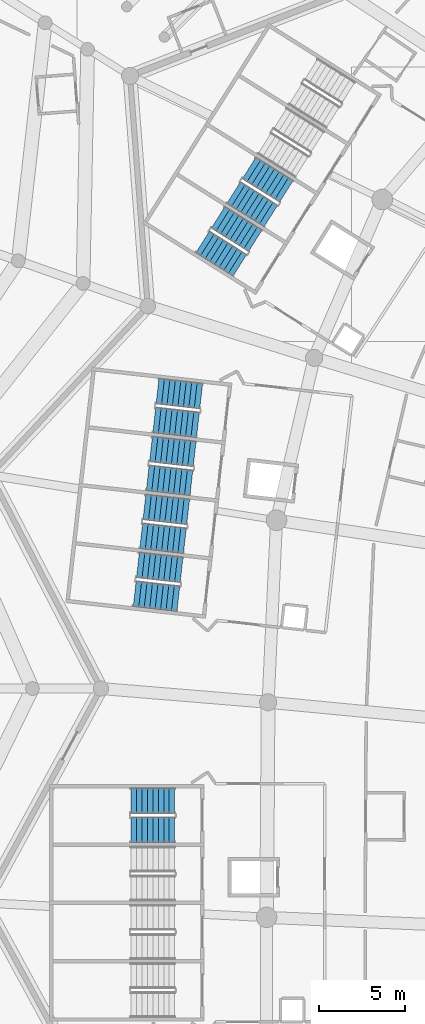
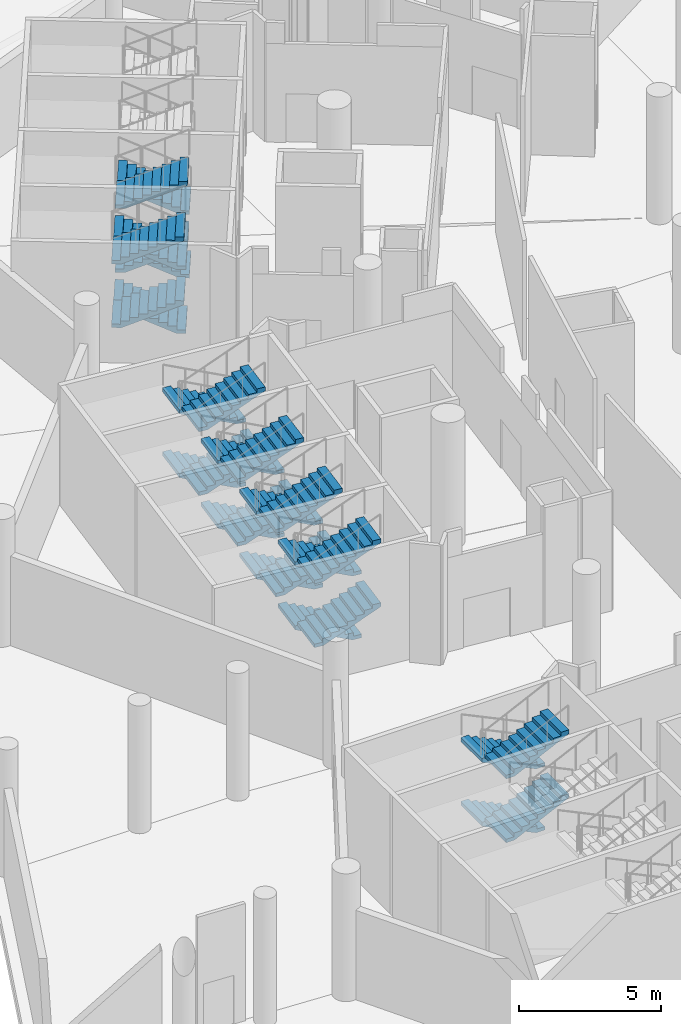
# One storey, part 214 of 271: 28 stair flights, 7 elements without a shape of their own.
"""IFC4 building model written with IfcOpenShell, lengths in metres."""

from ifc_helpers import new_model, si_unit, direction, frame, origin, place, context, subcontext, project, spatial, polyline, outline, extrude, material, type_object, element, aggregate, save


model = new_model("IFC4")

# Units and contexts
model_context = context("Model", 3, precision=1e-05, world=origin(), true_north=direction((0.0, 1.0)))
body_context = subcontext(model_context, "Body", "Model", "MODEL_VIEW")
ifc_project = project(units=[si_unit("LENGTHUNIT", "METRE"), si_unit("AREAUNIT", "SQUARE_METRE"), si_unit("VOLUMEUNIT", "CUBIC_METRE"), si_unit("PLANEANGLEUNIT", "RADIAN"), si_unit("MASSUNIT", "GRAM", prefix="KILO")], contexts=[model_context])

# Site, building, storey
site_placement = place(None, origin())
site = spatial("IfcSite", under=ifc_project, at=site_placement, CompositionType="ELEMENT")
building_placement = place(site_placement, origin())
building = spatial("IfcBuilding", under=site, at=building_placement, Name="Meseta Stadium", CompositionType="ELEMENT")
storey_placement = place(building_placement, frame((0.0, 0.0, 6.5)))
storey = spatial("IfcBuildingStorey", under=building, at=storey_placement, Name="L01", CompositionType="ELEMENT", Elevation=6.5)

# Stair, stair flights
ifc_material_1 = material(Name="Concrete C40/50", Category="concrete")
stair_type = type_object("IfcStairType", Name="Exit stair 4 flights 153 mm risers", PredefinedType="HALF_TURN_STAIR", material=ifc_material_1)
stair_1_placement = place(storey_placement, origin())
stair_1 = element("IfcStair", 1, at=stair_1_placement, inside=storey, type_object=stair_type, Name="ST55 L01", PredefinedType="HALF_TURN_STAIR")
ifc_material_2 = material(Name="Concrete C40/50", Category="concrete")
stair_flight_type = type_object("IfcStairFlightType", Name="Exit stair flight 153 mm risers, 4 per storey", PredefinedType="STRAIGHT", material=ifc_material_2)
stair_flight_1_placement = place(storey_placement, frame((-83.792724609375, 72.742919921875, 0.0), z_axis=(0.0, 0.0, 1.0), x_axis=(-0.846724200555, 0.532032074404, 0.0)))
stair_flight_1 = element("IfcStairFlight", 2, at=stair_flight_1_placement, type_object=stair_flight_type, Name="ST55 L01 flight 1", NumberOfRisers=9, NumberOfTreads=8, PredefinedType="STRAIGHT", RiserHeight=0.152777778, TreadLength=0.32, context=body_context, shape_type="SweptSolid", body=[
    extrude(outline(polyline([(0.0, 0.0), (0.0, 0.15283203125), (0.320068359375, 0.15283203125), (0.320068359375, 0.3056640625), (0.639892578125, 0.3056640625), (0.639892578125, 0.458251953125), (0.9599609375, 0.458251953125), (0.9599609375, 0.611083984375), (1.280029296875, 0.611083984375), (1.280029296875, 0.763916015625), (1.60009765625, 0.763916015625), (1.60009765625, 0.916748046875), (1.919921875, 0.916748046875), (1.919921875, 1.0693359375), (2.239990234375, 1.0693359375), (2.239990234375, 1.22216796875), (2.56005859375, 1.22216796875), (2.56005859375, 1.05615234375), (0.347900390625, 0.0), (0.0, 0.0)])), frame((0.0, 0.75, 0.0), z_axis=(0.0, -1.0, 0.0), x_axis=(1.0, 0.0, 0.0)), (0.0, 0.0, 1.0), 1.5),
])
stair_flight_2_placement = place(storey_placement, frame((-86.86474609375, 72.66552734375, 1.375), z_axis=(0.0, 0.0, 1.0), x_axis=(0.846724200555, -0.532032074404, 0.0)))
stair_flight_2 = element("IfcStairFlight", 3, at=stair_flight_2_placement, type_object=stair_flight_type, Name="ST55 L01 flight 2", NumberOfRisers=9, NumberOfTreads=8, PredefinedType="STRAIGHT", RiserHeight=0.152777778, TreadLength=0.32, context=body_context, shape_type="SweptSolid", body=[
    extrude(outline(polyline([(0.0, 0.0), (0.0, 0.15283203125), (0.320068359375, 0.15283203125), (0.320068359375, 0.3056640625), (0.639892578125, 0.3056640625), (0.639892578125, 0.458251953125), (0.9599609375, 0.458251953125), (0.9599609375, 0.611083984375), (1.280029296875, 0.611083984375), (1.280029296875, 0.763916015625), (1.60009765625, 0.763916015625), (1.60009765625, 0.916748046875), (1.919921875, 0.916748046875), (1.919921875, 1.0693359375), (2.239990234375, 1.0693359375), (2.239990234375, 1.22216796875), (2.56005859375, 1.22216796875), (2.56005859375, 1.05615234375), (0.347900390625, 0.0), (0.0, 0.0)])), frame((0.0, 0.75, 0.0), z_axis=(0.0, -1.0, 0.0), x_axis=(1.0, 0.0, 0.0)), (0.0, 0.0, 1.0), 1.5),
])
stair_flight_3_placement = place(storey_placement, frame((-83.792724609375, 72.742919921875, 2.75), z_axis=(0.0, 0.0, 1.0), x_axis=(-0.846724200555, 0.532032074404, 0.0)))
stair_flight_3 = element("IfcStairFlight", 4, at=stair_flight_3_placement, type_object=stair_flight_type, Name="ST55 L01 flight 3", NumberOfRisers=9, NumberOfTreads=8, PredefinedType="STRAIGHT", RiserHeight=0.152777778, TreadLength=0.32, context=body_context, shape_type="SweptSolid", body=[
    extrude(outline(polyline([(0.0, 0.0), (0.0, 0.15283203125), (0.320068359375, 0.15283203125), (0.320068359375, 0.3056640625), (0.639892578125, 0.3056640625), (0.639892578125, 0.458251953125), (0.9599609375, 0.458251953125), (0.9599609375, 0.611083984375), (1.280029296875, 0.611083984375), (1.280029296875, 0.763916015625), (1.60009765625, 0.763916015625), (1.60009765625, 0.916748046875), (1.919921875, 0.916748046875), (1.919921875, 1.0693359375), (2.239990234375, 1.0693359375), (2.239990234375, 1.22216796875), (2.56005859375, 1.22216796875), (2.56005859375, 1.05615234375), (0.347900390625, 0.0), (0.0, 0.0)])), frame((0.0, 0.75, 0.0), z_axis=(0.0, -1.0, 0.0), x_axis=(1.0, 0.0, 0.0)), (0.0, 0.0, 1.0), 1.5),
])
stair_flight_4_placement = place(storey_placement, frame((-86.86474609375, 72.66552734375, 4.125), z_axis=(0.0, 0.0, 1.0), x_axis=(0.846724200555, -0.532032074404, 0.0)))
stair_flight_4 = element("IfcStairFlight", 5, at=stair_flight_4_placement, type_object=stair_flight_type, Name="ST55 L01 flight 4", NumberOfRisers=9, NumberOfTreads=8, PredefinedType="STRAIGHT", RiserHeight=0.152777778, TreadLength=0.32, context=body_context, shape_type="SweptSolid", body=[
    extrude(outline(polyline([(0.0, 0.0), (0.0, 0.15283203125), (0.320068359375, 0.15283203125), (0.320068359375, 0.3056640625), (0.639892578125, 0.3056640625), (0.639892578125, 0.458251953125), (0.9599609375, 0.458251953125), (0.9599609375, 0.611083984375), (1.280029296875, 0.611083984375), (1.280029296875, 0.763916015625), (1.60009765625, 0.763916015625), (1.60009765625, 0.916748046875), (1.919921875, 0.916748046875), (1.919921875, 1.0693359375), (2.239990234375, 1.0693359375), (2.239990234375, 1.22216796875), (2.56005859375, 1.22216796875), (2.56005859375, 1.05615234375), (0.347900390625, 0.0), (0.0, 0.0)])), frame((0.0, 0.75, 0.0), z_axis=(0.0, -1.0, 0.0), x_axis=(1.0, 0.0, 0.0)), (0.0, 0.0, 1.0), 1.5),
])
aggregate(stair_1, [stair_flight_1, stair_flight_2, stair_flight_3, stair_flight_4])

stair_2_placement = place(storey_placement, origin())
stair_2 = element("IfcStair", 6, at=stair_2_placement, inside=storey, type_object=stair_type, Name="ST56 L01", PredefinedType="HALF_TURN_STAIR")
stair_flight_5_placement = place(storey_placement, frame((-85.6015625, 69.864013671875, 0.0), z_axis=(0.0, 0.0, 1.0), x_axis=(-0.846724200555, 0.532032074404, 0.0)))
stair_flight_5 = element("IfcStairFlight", 7, at=stair_flight_5_placement, type_object=stair_flight_type, Name="ST56 L01 flight 1", NumberOfRisers=9, NumberOfTreads=8, PredefinedType="STRAIGHT", RiserHeight=0.152777778, TreadLength=0.32, context=body_context, shape_type="SweptSolid", body=[
    extrude(outline(polyline([(0.0, 0.0), (0.0, 0.15283203125), (0.320068359375, 0.15283203125), (0.320068359375, 0.3056640625), (0.639892578125, 0.3056640625), (0.639892578125, 0.458251953125), (0.9599609375, 0.458251953125), (0.9599609375, 0.611083984375), (1.280029296875, 0.611083984375), (1.280029296875, 0.763916015625), (1.60009765625, 0.763916015625), (1.60009765625, 0.916748046875), (1.919921875, 0.916748046875), (1.919921875, 1.0693359375), (2.239990234375, 1.0693359375), (2.239990234375, 1.22216796875), (2.56005859375, 1.22216796875), (2.56005859375, 1.05615234375), (0.347900390625, 0.0), (0.0, 0.0)])), frame((0.0, 0.75, 0.0), z_axis=(0.0, -1.0, 0.0), x_axis=(1.0, 0.0, 0.0)), (0.0, 0.0, 1.0), 1.5),
])
stair_flight_6_placement = place(storey_placement, frame((-88.673828125, 69.78662109375, 1.375), z_axis=(0.0, 0.0, 1.0), x_axis=(0.846724200555, -0.532032074404, 0.0)))
stair_flight_6 = element("IfcStairFlight", 8, at=stair_flight_6_placement, type_object=stair_flight_type, Name="ST56 L01 flight 2", NumberOfRisers=9, NumberOfTreads=8, PredefinedType="STRAIGHT", RiserHeight=0.152777778, TreadLength=0.32, context=body_context, shape_type="SweptSolid", body=[
    extrude(outline(polyline([(0.0, 0.0), (0.0, 0.15283203125), (0.320068359375, 0.15283203125), (0.320068359375, 0.3056640625), (0.639892578125, 0.3056640625), (0.639892578125, 0.458251953125), (0.9599609375, 0.458251953125), (0.9599609375, 0.611083984375), (1.280029296875, 0.611083984375), (1.280029296875, 0.763916015625), (1.60009765625, 0.763916015625), (1.60009765625, 0.916748046875), (1.919921875, 0.916748046875), (1.919921875, 1.0693359375), (2.239990234375, 1.0693359375), (2.239990234375, 1.22216796875), (2.56005859375, 1.22216796875), (2.56005859375, 1.05615234375), (0.347900390625, 0.0), (0.0, 0.0)])), frame((0.0, 0.75, 0.0), z_axis=(0.0, -1.0, 0.0), x_axis=(1.0, 0.0, 0.0)), (0.0, 0.0, 1.0), 1.5),
])
stair_flight_7_placement = place(storey_placement, frame((-85.6015625, 69.864013671875, 2.75), z_axis=(0.0, 0.0, 1.0), x_axis=(-0.846724200555, 0.532032074404, 0.0)))
stair_flight_7 = element("IfcStairFlight", 9, at=stair_flight_7_placement, type_object=stair_flight_type, Name="ST56 L01 flight 3", NumberOfRisers=9, NumberOfTreads=8, PredefinedType="STRAIGHT", RiserHeight=0.152777778, TreadLength=0.32, context=body_context, shape_type="SweptSolid", body=[
    extrude(outline(polyline([(0.0, 0.0), (0.0, 0.15283203125), (0.320068359375, 0.15283203125), (0.320068359375, 0.3056640625), (0.639892578125, 0.3056640625), (0.639892578125, 0.458251953125), (0.9599609375, 0.458251953125), (0.9599609375, 0.611083984375), (1.280029296875, 0.611083984375), (1.280029296875, 0.763916015625), (1.60009765625, 0.763916015625), (1.60009765625, 0.916748046875), (1.919921875, 0.916748046875), (1.919921875, 1.0693359375), (2.239990234375, 1.0693359375), (2.239990234375, 1.22216796875), (2.56005859375, 1.22216796875), (2.56005859375, 1.05615234375), (0.347900390625, 0.0), (0.0, 0.0)])), frame((0.0, 0.75, 0.0), z_axis=(0.0, -1.0, 0.0), x_axis=(1.0, 0.0, 0.0)), (0.0, 0.0, 1.0), 1.5),
])
stair_flight_8_placement = place(storey_placement, frame((-88.673828125, 69.78662109375, 4.125), z_axis=(0.0, 0.0, 1.0), x_axis=(0.846724200555, -0.532032074404, 0.0)))
stair_flight_8 = element("IfcStairFlight", 10, at=stair_flight_8_placement, type_object=stair_flight_type, Name="ST56 L01 flight 4", NumberOfRisers=9, NumberOfTreads=8, PredefinedType="STRAIGHT", RiserHeight=0.152777778, TreadLength=0.32, context=body_context, shape_type="SweptSolid", body=[
    extrude(outline(polyline([(0.0, 0.0), (0.0, 0.15283203125), (0.320068359375, 0.15283203125), (0.320068359375, 0.3056640625), (0.639892578125, 0.3056640625), (0.639892578125, 0.458251953125), (0.9599609375, 0.458251953125), (0.9599609375, 0.611083984375), (1.280029296875, 0.611083984375), (1.280029296875, 0.763916015625), (1.60009765625, 0.763916015625), (1.60009765625, 0.916748046875), (1.919921875, 0.916748046875), (1.919921875, 1.0693359375), (2.239990234375, 1.0693359375), (2.239990234375, 1.22216796875), (2.56005859375, 1.22216796875), (2.56005859375, 1.05615234375), (0.347900390625, 0.0), (0.0, 0.0)])), frame((0.0, 0.75, 0.0), z_axis=(0.0, -1.0, 0.0), x_axis=(1.0, 0.0, 0.0)), (0.0, 0.0, 1.0), 1.5),
])
aggregate(stair_2, [stair_flight_5, stair_flight_6, stair_flight_7, stair_flight_8])

stair_3_placement = place(storey_placement, origin())
stair_3 = element("IfcStair", 11, at=stair_3_placement, inside=storey, type_object=stair_type, Name="ST57 L01", PredefinedType="HALF_TURN_STAIR")
stair_flight_9_placement = place(storey_placement, frame((-88.759033203125, 60.805419921875, 0.0), z_axis=(0.0, 0.0, 1.0), x_axis=(-0.993712210731, 0.11196446867, 0.0)))
stair_flight_9 = element("IfcStairFlight", 12, at=stair_flight_9_placement, type_object=stair_flight_type, Name="ST57 L01 flight 1", NumberOfRisers=9, NumberOfTreads=8, PredefinedType="STRAIGHT", RiserHeight=0.152777778, TreadLength=0.32, context=body_context, shape_type="SweptSolid", body=[
    extrude(outline(polyline([(0.0, 0.0), (0.0, 0.15283203125), (0.320068359375, 0.15283203125), (0.320068359375, 0.3056640625), (0.639892578125, 0.3056640625), (0.639892578125, 0.458251953125), (0.9599609375, 0.458251953125), (0.9599609375, 0.611083984375), (1.280029296875, 0.611083984375), (1.280029296875, 0.763916015625), (1.60009765625, 0.763916015625), (1.60009765625, 0.916748046875), (1.919921875, 0.916748046875), (1.919921875, 1.0693359375), (2.239990234375, 1.0693359375), (2.239990234375, 1.22216796875), (2.56005859375, 1.22216796875), (2.56005859375, 1.05615234375), (0.347900390625, 0.0), (0.0, 0.0)])), frame((0.0, 0.75, 0.0), z_axis=(0.0, -1.0, 0.0), x_axis=(1.0, 0.0, 0.0)), (0.0, 0.0, 1.0), 1.5),
])
stair_flight_10_placement = place(storey_placement, frame((-91.4931640625, 59.40283203125, 1.375), z_axis=(0.0, 0.0, 1.0), x_axis=(0.993712210731, -0.11196446867, 0.0)))
stair_flight_10 = element("IfcStairFlight", 13, at=stair_flight_10_placement, type_object=stair_flight_type, Name="ST57 L01 flight 2", NumberOfRisers=9, NumberOfTreads=8, PredefinedType="STRAIGHT", RiserHeight=0.152777778, TreadLength=0.32, context=body_context, shape_type="SweptSolid", body=[
    extrude(outline(polyline([(0.0, 0.0), (0.0, 0.15283203125), (0.320068359375, 0.15283203125), (0.320068359375, 0.3056640625), (0.639892578125, 0.3056640625), (0.639892578125, 0.458251953125), (0.9599609375, 0.458251953125), (0.9599609375, 0.611083984375), (1.280029296875, 0.611083984375), (1.280029296875, 0.763916015625), (1.60009765625, 0.763916015625), (1.60009765625, 0.916748046875), (1.919921875, 0.916748046875), (1.919921875, 1.0693359375), (2.239990234375, 1.0693359375), (2.239990234375, 1.22216796875), (2.56005859375, 1.22216796875), (2.56005859375, 1.05615234375), (0.347900390625, 0.0), (0.0, 0.0)])), frame((0.0, 0.75, 0.0), z_axis=(0.0, -1.0, 0.0), x_axis=(1.0, 0.0, 0.0)), (0.0, 0.0, 1.0), 1.5),
])
stair_flight_11_placement = place(storey_placement, frame((-88.759033203125, 60.805419921875, 2.75), z_axis=(0.0, 0.0, 1.0), x_axis=(-0.993712210731, 0.11196446867, 0.0)))
stair_flight_11 = element("IfcStairFlight", 14, at=stair_flight_11_placement, type_object=stair_flight_type, Name="ST57 L01 flight 3", NumberOfRisers=9, NumberOfTreads=8, PredefinedType="STRAIGHT", RiserHeight=0.152777778, TreadLength=0.32, context=body_context, shape_type="SweptSolid", body=[
    extrude(outline(polyline([(0.0, 0.0), (0.0, 0.15283203125), (0.320068359375, 0.15283203125), (0.320068359375, 0.3056640625), (0.639892578125, 0.3056640625), (0.639892578125, 0.458251953125), (0.9599609375, 0.458251953125), (0.9599609375, 0.611083984375), (1.280029296875, 0.611083984375), (1.280029296875, 0.763916015625), (1.60009765625, 0.763916015625), (1.60009765625, 0.916748046875), (1.919921875, 0.916748046875), (1.919921875, 1.0693359375), (2.239990234375, 1.0693359375), (2.239990234375, 1.22216796875), (2.56005859375, 1.22216796875), (2.56005859375, 1.05615234375), (0.347900390625, 0.0), (0.0, 0.0)])), frame((0.0, 0.75, 0.0), z_axis=(0.0, -1.0, 0.0), x_axis=(1.0, 0.0, 0.0)), (0.0, 0.0, 1.0), 1.5),
])
stair_flight_12_placement = place(storey_placement, frame((-91.4931640625, 59.40283203125, 4.125), z_axis=(0.0, 0.0, 1.0), x_axis=(0.993712210731, -0.11196446867, 0.0)))
stair_flight_12 = element("IfcStairFlight", 15, at=stair_flight_12_placement, type_object=stair_flight_type, Name="ST57 L01 flight 4", NumberOfRisers=9, NumberOfTreads=8, PredefinedType="STRAIGHT", RiserHeight=0.152777778, TreadLength=0.32, context=body_context, shape_type="SweptSolid", body=[
    extrude(outline(polyline([(0.0, 0.0), (0.0, 0.15283203125), (0.320068359375, 0.15283203125), (0.320068359375, 0.3056640625), (0.639892578125, 0.3056640625), (0.639892578125, 0.458251953125), (0.9599609375, 0.458251953125), (0.9599609375, 0.611083984375), (1.280029296875, 0.611083984375), (1.280029296875, 0.763916015625), (1.60009765625, 0.763916015625), (1.60009765625, 0.916748046875), (1.919921875, 0.916748046875), (1.919921875, 1.0693359375), (2.239990234375, 1.0693359375), (2.239990234375, 1.22216796875), (2.56005859375, 1.22216796875), (2.56005859375, 1.05615234375), (0.347900390625, 0.0), (0.0, 0.0)])), frame((0.0, 0.75, 0.0), z_axis=(0.0, -1.0, 0.0), x_axis=(1.0, 0.0, 0.0)), (0.0, 0.0, 1.0), 1.5),
])
aggregate(stair_3, [stair_flight_9, stair_flight_10, stair_flight_11, stair_flight_12])

stair_4_placement = place(storey_placement, origin())
stair_4 = element("IfcStair", 16, at=stair_4_placement, inside=storey, type_object=stair_type, Name="ST58 L01", PredefinedType="HALF_TURN_STAIR")
stair_flight_13_placement = place(storey_placement, frame((-89.1396484375, 57.4267578125, 0.0), z_axis=(0.0, 0.0, 1.0), x_axis=(-0.993712210731, 0.11196446867, 0.0)))
stair_flight_13 = element("IfcStairFlight", 17, at=stair_flight_13_placement, type_object=stair_flight_type, Name="ST58 L01 flight 1", NumberOfRisers=9, NumberOfTreads=8, PredefinedType="STRAIGHT", RiserHeight=0.152777778, TreadLength=0.32, context=body_context, shape_type="SweptSolid", body=[
    extrude(outline(polyline([(0.0, 0.0), (0.0, 0.15283203125), (0.320068359375, 0.15283203125), (0.320068359375, 0.3056640625), (0.639892578125, 0.3056640625), (0.639892578125, 0.458251953125), (0.9599609375, 0.458251953125), (0.9599609375, 0.611083984375), (1.280029296875, 0.611083984375), (1.280029296875, 0.763916015625), (1.60009765625, 0.763916015625), (1.60009765625, 0.916748046875), (1.919921875, 0.916748046875), (1.919921875, 1.0693359375), (2.239990234375, 1.0693359375), (2.239990234375, 1.22216796875), (2.56005859375, 1.22216796875), (2.56005859375, 1.05615234375), (0.347900390625, 0.0), (0.0, 0.0)])), frame((0.0, 0.75, 0.0), z_axis=(0.0, -1.0, 0.0), x_axis=(1.0, 0.0, 0.0)), (0.0, 0.0, 1.0), 1.5),
])
stair_flight_14_placement = place(storey_placement, frame((-91.8740234375, 56.024169921875, 1.375), z_axis=(0.0, 0.0, 1.0), x_axis=(0.993712210731, -0.11196446867, 0.0)))
stair_flight_14 = element("IfcStairFlight", 18, at=stair_flight_14_placement, type_object=stair_flight_type, Name="ST58 L01 flight 2", NumberOfRisers=9, NumberOfTreads=8, PredefinedType="STRAIGHT", RiserHeight=0.152777778, TreadLength=0.32, context=body_context, shape_type="SweptSolid", body=[
    extrude(outline(polyline([(0.0, 0.0), (0.0, 0.15283203125), (0.320068359375, 0.15283203125), (0.320068359375, 0.3056640625), (0.639892578125, 0.3056640625), (0.639892578125, 0.458251953125), (0.9599609375, 0.458251953125), (0.9599609375, 0.611083984375), (1.280029296875, 0.611083984375), (1.280029296875, 0.763916015625), (1.60009765625, 0.763916015625), (1.60009765625, 0.916748046875), (1.919921875, 0.916748046875), (1.919921875, 1.0693359375), (2.239990234375, 1.0693359375), (2.239990234375, 1.22216796875), (2.56005859375, 1.22216796875), (2.56005859375, 1.05615234375), (0.347900390625, 0.0), (0.0, 0.0)])), frame((0.0, 0.75, 0.0), z_axis=(0.0, -1.0, 0.0), x_axis=(1.0, 0.0, 0.0)), (0.0, 0.0, 1.0), 1.5),
])
stair_flight_15_placement = place(storey_placement, frame((-89.1396484375, 57.4267578125, 2.75), z_axis=(0.0, 0.0, 1.0), x_axis=(-0.993712210731, 0.11196446867, 0.0)))
stair_flight_15 = element("IfcStairFlight", 19, at=stair_flight_15_placement, type_object=stair_flight_type, Name="ST58 L01 flight 3", NumberOfRisers=9, NumberOfTreads=8, PredefinedType="STRAIGHT", RiserHeight=0.152777778, TreadLength=0.32, context=body_context, shape_type="SweptSolid", body=[
    extrude(outline(polyline([(0.0, 0.0), (0.0, 0.15283203125), (0.320068359375, 0.15283203125), (0.320068359375, 0.3056640625), (0.639892578125, 0.3056640625), (0.639892578125, 0.458251953125), (0.9599609375, 0.458251953125), (0.9599609375, 0.611083984375), (1.280029296875, 0.611083984375), (1.280029296875, 0.763916015625), (1.60009765625, 0.763916015625), (1.60009765625, 0.916748046875), (1.919921875, 0.916748046875), (1.919921875, 1.0693359375), (2.239990234375, 1.0693359375), (2.239990234375, 1.22216796875), (2.56005859375, 1.22216796875), (2.56005859375, 1.05615234375), (0.347900390625, 0.0), (0.0, 0.0)])), frame((0.0, 0.75, 0.0), z_axis=(0.0, -1.0, 0.0), x_axis=(1.0, 0.0, 0.0)), (0.0, 0.0, 1.0), 1.5),
])
stair_flight_16_placement = place(storey_placement, frame((-91.8740234375, 56.024169921875, 4.125), z_axis=(0.0, 0.0, 1.0), x_axis=(0.993712210731, -0.11196446867, 0.0)))
stair_flight_16 = element("IfcStairFlight", 20, at=stair_flight_16_placement, type_object=stair_flight_type, Name="ST58 L01 flight 4", NumberOfRisers=9, NumberOfTreads=8, PredefinedType="STRAIGHT", RiserHeight=0.152777778, TreadLength=0.32, context=body_context, shape_type="SweptSolid", body=[
    extrude(outline(polyline([(0.0, 0.0), (0.0, 0.15283203125), (0.320068359375, 0.15283203125), (0.320068359375, 0.3056640625), (0.639892578125, 0.3056640625), (0.639892578125, 0.458251953125), (0.9599609375, 0.458251953125), (0.9599609375, 0.611083984375), (1.280029296875, 0.611083984375), (1.280029296875, 0.763916015625), (1.60009765625, 0.763916015625), (1.60009765625, 0.916748046875), (1.919921875, 0.916748046875), (1.919921875, 1.0693359375), (2.239990234375, 1.0693359375), (2.239990234375, 1.22216796875), (2.56005859375, 1.22216796875), (2.56005859375, 1.05615234375), (0.347900390625, 0.0), (0.0, 0.0)])), frame((0.0, 0.75, 0.0), z_axis=(0.0, -1.0, 0.0), x_axis=(1.0, 0.0, 0.0)), (0.0, 0.0, 1.0), 1.5),
])
aggregate(stair_4, [stair_flight_13, stair_flight_14, stair_flight_15, stair_flight_16])

stair_5_placement = place(storey_placement, origin())
stair_5 = element("IfcStair", 21, at=stair_5_placement, inside=storey, type_object=stair_type, Name="ST59 L01", PredefinedType="HALF_TURN_STAIR")
stair_flight_17_placement = place(storey_placement, frame((-89.5205078125, 54.048095703125, 0.0), z_axis=(0.0, 0.0, 1.0), x_axis=(-0.993712210731, 0.11196446867, 0.0)))
stair_flight_17 = element("IfcStairFlight", 22, at=stair_flight_17_placement, type_object=stair_flight_type, Name="ST59 L01 flight 1", NumberOfRisers=9, NumberOfTreads=8, PredefinedType="STRAIGHT", RiserHeight=0.152777778, TreadLength=0.32, context=body_context, shape_type="SweptSolid", body=[
    extrude(outline(polyline([(0.0, 0.0), (0.0, 0.15283203125), (0.320068359375, 0.15283203125), (0.320068359375, 0.3056640625), (0.639892578125, 0.3056640625), (0.639892578125, 0.458251953125), (0.9599609375, 0.458251953125), (0.9599609375, 0.611083984375), (1.280029296875, 0.611083984375), (1.280029296875, 0.763916015625), (1.60009765625, 0.763916015625), (1.60009765625, 0.916748046875), (1.919921875, 0.916748046875), (1.919921875, 1.0693359375), (2.239990234375, 1.0693359375), (2.239990234375, 1.22216796875), (2.56005859375, 1.22216796875), (2.56005859375, 1.05615234375), (0.347900390625, 0.0), (0.0, 0.0)])), frame((0.0, 0.75, 0.0), z_axis=(0.0, -1.0, 0.0), x_axis=(1.0, 0.0, 0.0)), (0.0, 0.0, 1.0), 1.5),
])
stair_flight_18_placement = place(storey_placement, frame((-92.254638671875, 52.6455078125, 1.375), z_axis=(0.0, 0.0, 1.0), x_axis=(0.993712210731, -0.11196446867, 0.0)))
stair_flight_18 = element("IfcStairFlight", 23, at=stair_flight_18_placement, type_object=stair_flight_type, Name="ST59 L01 flight 2", NumberOfRisers=9, NumberOfTreads=8, PredefinedType="STRAIGHT", RiserHeight=0.152777778, TreadLength=0.32, context=body_context, shape_type="SweptSolid", body=[
    extrude(outline(polyline([(0.0, 0.0), (0.0, 0.15283203125), (0.320068359375, 0.15283203125), (0.320068359375, 0.3056640625), (0.639892578125, 0.3056640625), (0.639892578125, 0.458251953125), (0.9599609375, 0.458251953125), (0.9599609375, 0.611083984375), (1.280029296875, 0.611083984375), (1.280029296875, 0.763916015625), (1.60009765625, 0.763916015625), (1.60009765625, 0.916748046875), (1.919921875, 0.916748046875), (1.919921875, 1.0693359375), (2.239990234375, 1.0693359375), (2.239990234375, 1.22216796875), (2.56005859375, 1.22216796875), (2.56005859375, 1.05615234375), (0.347900390625, 0.0), (0.0, 0.0)])), frame((0.0, 0.75, 0.0), z_axis=(0.0, -1.0, 0.0), x_axis=(1.0, 0.0, 0.0)), (0.0, 0.0, 1.0), 1.5),
])
stair_flight_19_placement = place(storey_placement, frame((-89.5205078125, 54.048095703125, 2.75), z_axis=(0.0, 0.0, 1.0), x_axis=(-0.993712210731, 0.11196446867, 0.0)))
stair_flight_19 = element("IfcStairFlight", 24, at=stair_flight_19_placement, type_object=stair_flight_type, Name="ST59 L01 flight 3", NumberOfRisers=9, NumberOfTreads=8, PredefinedType="STRAIGHT", RiserHeight=0.152777778, TreadLength=0.32, context=body_context, shape_type="SweptSolid", body=[
    extrude(outline(polyline([(0.0, 0.0), (0.0, 0.15283203125), (0.320068359375, 0.15283203125), (0.320068359375, 0.3056640625), (0.639892578125, 0.3056640625), (0.639892578125, 0.458251953125), (0.9599609375, 0.458251953125), (0.9599609375, 0.611083984375), (1.280029296875, 0.611083984375), (1.280029296875, 0.763916015625), (1.60009765625, 0.763916015625), (1.60009765625, 0.916748046875), (1.919921875, 0.916748046875), (1.919921875, 1.0693359375), (2.239990234375, 1.0693359375), (2.239990234375, 1.22216796875), (2.56005859375, 1.22216796875), (2.56005859375, 1.05615234375), (0.347900390625, 0.0), (0.0, 0.0)])), frame((0.0, 0.75, 0.0), z_axis=(0.0, -1.0, 0.0), x_axis=(1.0, 0.0, 0.0)), (0.0, 0.0, 1.0), 1.5),
])
stair_flight_20_placement = place(storey_placement, frame((-92.254638671875, 52.6455078125, 4.125), z_axis=(0.0, 0.0, 1.0), x_axis=(0.993712210731, -0.11196446867, 0.0)))
stair_flight_20 = element("IfcStairFlight", 25, at=stair_flight_20_placement, type_object=stair_flight_type, Name="ST59 L01 flight 4", NumberOfRisers=9, NumberOfTreads=8, PredefinedType="STRAIGHT", RiserHeight=0.152777778, TreadLength=0.32, context=body_context, shape_type="SweptSolid", body=[
    extrude(outline(polyline([(0.0, 0.0), (0.0, 0.15283203125), (0.320068359375, 0.15283203125), (0.320068359375, 0.3056640625), (0.639892578125, 0.3056640625), (0.639892578125, 0.458251953125), (0.9599609375, 0.458251953125), (0.9599609375, 0.611083984375), (1.280029296875, 0.611083984375), (1.280029296875, 0.763916015625), (1.60009765625, 0.763916015625), (1.60009765625, 0.916748046875), (1.919921875, 0.916748046875), (1.919921875, 1.0693359375), (2.239990234375, 1.0693359375), (2.239990234375, 1.22216796875), (2.56005859375, 1.22216796875), (2.56005859375, 1.05615234375), (0.347900390625, 0.0), (0.0, 0.0)])), frame((0.0, 0.75, 0.0), z_axis=(0.0, -1.0, 0.0), x_axis=(1.0, 0.0, 0.0)), (0.0, 0.0, 1.0), 1.5),
])
aggregate(stair_5, [stair_flight_17, stair_flight_18, stair_flight_19, stair_flight_20])

stair_6_placement = place(storey_placement, origin())
stair_6 = element("IfcStair", 26, at=stair_6_placement, inside=storey, type_object=stair_type, Name="ST60 L01", PredefinedType="HALF_TURN_STAIR")
stair_flight_21_placement = place(storey_placement, frame((-89.901123046875, 50.669677734375, 0.0), z_axis=(0.0, 0.0, 1.0), x_axis=(-0.993712210731, 0.11196446867, 0.0)))
stair_flight_21 = element("IfcStairFlight", 27, at=stair_flight_21_placement, type_object=stair_flight_type, Name="ST60 L01 flight 1", NumberOfRisers=9, NumberOfTreads=8, PredefinedType="STRAIGHT", RiserHeight=0.152777778, TreadLength=0.32, context=body_context, shape_type="SweptSolid", body=[
    extrude(outline(polyline([(0.0, 0.0), (0.0, 0.15283203125), (0.320068359375, 0.15283203125), (0.320068359375, 0.3056640625), (0.639892578125, 0.3056640625), (0.639892578125, 0.458251953125), (0.9599609375, 0.458251953125), (0.9599609375, 0.611083984375), (1.280029296875, 0.611083984375), (1.280029296875, 0.763916015625), (1.60009765625, 0.763916015625), (1.60009765625, 0.916748046875), (1.919921875, 0.916748046875), (1.919921875, 1.0693359375), (2.239990234375, 1.0693359375), (2.239990234375, 1.22216796875), (2.56005859375, 1.22216796875), (2.56005859375, 1.05615234375), (0.347900390625, 0.0), (0.0, 0.0)])), frame((0.0, 0.75, 0.0), z_axis=(0.0, -1.0, 0.0), x_axis=(1.0, 0.0, 0.0)), (0.0, 0.0, 1.0), 1.5),
])
stair_flight_22_placement = place(storey_placement, frame((-92.63525390625, 49.266845703125, 1.375), z_axis=(0.0, 0.0, 1.0), x_axis=(0.993712210731, -0.11196446867, 0.0)))
stair_flight_22 = element("IfcStairFlight", 28, at=stair_flight_22_placement, type_object=stair_flight_type, Name="ST60 L01 flight 2", NumberOfRisers=9, NumberOfTreads=8, PredefinedType="STRAIGHT", RiserHeight=0.152777778, TreadLength=0.32, context=body_context, shape_type="SweptSolid", body=[
    extrude(outline(polyline([(0.0, 0.0), (0.0, 0.15283203125), (0.320068359375, 0.15283203125), (0.320068359375, 0.3056640625), (0.639892578125, 0.3056640625), (0.639892578125, 0.458251953125), (0.9599609375, 0.458251953125), (0.9599609375, 0.611083984375), (1.280029296875, 0.611083984375), (1.280029296875, 0.763916015625), (1.60009765625, 0.763916015625), (1.60009765625, 0.916748046875), (1.919921875, 0.916748046875), (1.919921875, 1.0693359375), (2.239990234375, 1.0693359375), (2.239990234375, 1.22216796875), (2.56005859375, 1.22216796875), (2.56005859375, 1.05615234375), (0.347900390625, 0.0), (0.0, 0.0)])), frame((0.0, 0.75, 0.0), z_axis=(0.0, -1.0, 0.0), x_axis=(1.0, 0.0, 0.0)), (0.0, 0.0, 1.0), 1.5),
])
stair_flight_23_placement = place(storey_placement, frame((-89.901123046875, 50.669677734375, 2.75), z_axis=(0.0, 0.0, 1.0), x_axis=(-0.993712210731, 0.11196446867, 0.0)))
stair_flight_23 = element("IfcStairFlight", 29, at=stair_flight_23_placement, type_object=stair_flight_type, Name="ST60 L01 flight 3", NumberOfRisers=9, NumberOfTreads=8, PredefinedType="STRAIGHT", RiserHeight=0.152777778, TreadLength=0.32, context=body_context, shape_type="SweptSolid", body=[
    extrude(outline(polyline([(0.0, 0.0), (0.0, 0.15283203125), (0.320068359375, 0.15283203125), (0.320068359375, 0.3056640625), (0.639892578125, 0.3056640625), (0.639892578125, 0.458251953125), (0.9599609375, 0.458251953125), (0.9599609375, 0.611083984375), (1.280029296875, 0.611083984375), (1.280029296875, 0.763916015625), (1.60009765625, 0.763916015625), (1.60009765625, 0.916748046875), (1.919921875, 0.916748046875), (1.919921875, 1.0693359375), (2.239990234375, 1.0693359375), (2.239990234375, 1.22216796875), (2.56005859375, 1.22216796875), (2.56005859375, 1.05615234375), (0.347900390625, 0.0), (0.0, 0.0)])), frame((0.0, 0.75, 0.0), z_axis=(0.0, -1.0, 0.0), x_axis=(1.0, 0.0, 0.0)), (0.0, 0.0, 1.0), 1.5),
])
stair_flight_24_placement = place(storey_placement, frame((-92.63525390625, 49.266845703125, 4.125), z_axis=(0.0, 0.0, 1.0), x_axis=(0.993712210731, -0.11196446867, 0.0)))
stair_flight_24 = element("IfcStairFlight", 30, at=stair_flight_24_placement, type_object=stair_flight_type, Name="ST60 L01 flight 4", NumberOfRisers=9, NumberOfTreads=8, PredefinedType="STRAIGHT", RiserHeight=0.152777778, TreadLength=0.32, context=body_context, shape_type="SweptSolid", body=[
    extrude(outline(polyline([(0.0, 0.0), (0.0, 0.15283203125), (0.320068359375, 0.15283203125), (0.320068359375, 0.3056640625), (0.639892578125, 0.3056640625), (0.639892578125, 0.458251953125), (0.9599609375, 0.458251953125), (0.9599609375, 0.611083984375), (1.280029296875, 0.611083984375), (1.280029296875, 0.763916015625), (1.60009765625, 0.763916015625), (1.60009765625, 0.916748046875), (1.919921875, 0.916748046875), (1.919921875, 1.0693359375), (2.239990234375, 1.0693359375), (2.239990234375, 1.22216796875), (2.56005859375, 1.22216796875), (2.56005859375, 1.05615234375), (0.347900390625, 0.0), (0.0, 0.0)])), frame((0.0, 0.75, 0.0), z_axis=(0.0, -1.0, 0.0), x_axis=(1.0, 0.0, 0.0)), (0.0, 0.0, 1.0), 1.5),
])
aggregate(stair_6, [stair_flight_21, stair_flight_22, stair_flight_23, stair_flight_24])

stair_7_placement = place(storey_placement, origin())
stair_7 = element("IfcStair", 31, at=stair_7_placement, inside=storey, type_object=stair_type, Name="ST61 L01", PredefinedType="HALF_TURN_STAIR")
stair_flight_25_placement = place(storey_placement, frame((-90.300048828125, 37.199951171875, 0.0), z_axis=(0.0, 0.0, 1.0), x_axis=(-1.0, 0.0, 0.0)))
stair_flight_25 = element("IfcStairFlight", 32, at=stair_flight_25_placement, type_object=stair_flight_type, Name="ST61 L01 flight 1", NumberOfRisers=9, NumberOfTreads=8, PredefinedType="STRAIGHT", RiserHeight=0.152777778, TreadLength=0.32, context=body_context, shape_type="SweptSolid", body=[
    extrude(outline(polyline([(0.0, 0.0), (0.0, 0.15283203125), (0.320068359375, 0.15283203125), (0.320068359375, 0.3056640625), (0.639892578125, 0.3056640625), (0.639892578125, 0.458251953125), (0.9599609375, 0.458251953125), (0.9599609375, 0.611083984375), (1.280029296875, 0.611083984375), (1.280029296875, 0.763916015625), (1.60009765625, 0.763916015625), (1.60009765625, 0.916748046875), (1.919921875, 0.916748046875), (1.919921875, 1.0693359375), (2.239990234375, 1.0693359375), (2.239990234375, 1.22216796875), (2.56005859375, 1.22216796875), (2.56005859375, 1.05615234375), (0.347900390625, 0.0), (0.0, 0.0)])), frame((0.0, 0.75, 0.0), z_axis=(0.0, -1.0, 0.0), x_axis=(1.0, 0.0, 0.0)), (0.0, 0.0, 1.0), 1.5),
])
stair_flight_26_placement = place(storey_placement, frame((-92.860107421875, 35.5, 1.375), z_axis=(0.0, 0.0, 1.0), x_axis=(1.0, 0.0, 0.0)))
stair_flight_26 = element("IfcStairFlight", 33, at=stair_flight_26_placement, type_object=stair_flight_type, Name="ST61 L01 flight 2", NumberOfRisers=9, NumberOfTreads=8, PredefinedType="STRAIGHT", RiserHeight=0.152777778, TreadLength=0.32, context=body_context, shape_type="SweptSolid", body=[
    extrude(outline(polyline([(0.0, 0.0), (0.0, 0.15283203125), (0.320068359375, 0.15283203125), (0.320068359375, 0.3056640625), (0.639892578125, 0.3056640625), (0.639892578125, 0.458251953125), (0.9599609375, 0.458251953125), (0.9599609375, 0.611083984375), (1.280029296875, 0.611083984375), (1.280029296875, 0.763916015625), (1.60009765625, 0.763916015625), (1.60009765625, 0.916748046875), (1.919921875, 0.916748046875), (1.919921875, 1.0693359375), (2.239990234375, 1.0693359375), (2.239990234375, 1.22216796875), (2.56005859375, 1.22216796875), (2.56005859375, 1.05615234375), (0.347900390625, 0.0), (0.0, 0.0)])), frame((0.0, 0.75, 0.0), z_axis=(0.0, -1.0, 0.0), x_axis=(1.0, 0.0, 0.0)), (0.0, 0.0, 1.0), 1.5),
])
stair_flight_27_placement = place(storey_placement, frame((-90.300048828125, 37.199951171875, 2.75), z_axis=(0.0, 0.0, 1.0), x_axis=(-1.0, 0.0, 0.0)))
stair_flight_27 = element("IfcStairFlight", 34, at=stair_flight_27_placement, type_object=stair_flight_type, Name="ST61 L01 flight 3", NumberOfRisers=9, NumberOfTreads=8, PredefinedType="STRAIGHT", RiserHeight=0.152777778, TreadLength=0.32, context=body_context, shape_type="SweptSolid", body=[
    extrude(outline(polyline([(0.0, 0.0), (0.0, 0.15283203125), (0.320068359375, 0.15283203125), (0.320068359375, 0.3056640625), (0.639892578125, 0.3056640625), (0.639892578125, 0.458251953125), (0.9599609375, 0.458251953125), (0.9599609375, 0.611083984375), (1.280029296875, 0.611083984375), (1.280029296875, 0.763916015625), (1.60009765625, 0.763916015625), (1.60009765625, 0.916748046875), (1.919921875, 0.916748046875), (1.919921875, 1.0693359375), (2.239990234375, 1.0693359375), (2.239990234375, 1.22216796875), (2.56005859375, 1.22216796875), (2.56005859375, 1.05615234375), (0.347900390625, 0.0), (0.0, 0.0)])), frame((0.0, 0.75, 0.0), z_axis=(0.0, -1.0, 0.0), x_axis=(1.0, 0.0, 0.0)), (0.0, 0.0, 1.0), 1.5),
])
stair_flight_28_placement = place(storey_placement, frame((-92.860107421875, 35.5, 4.125), z_axis=(0.0, 0.0, 1.0), x_axis=(1.0, 0.0, 0.0)))
stair_flight_28 = element("IfcStairFlight", 35, at=stair_flight_28_placement, type_object=stair_flight_type, Name="ST61 L01 flight 4", NumberOfRisers=9, NumberOfTreads=8, PredefinedType="STRAIGHT", RiserHeight=0.152777778, TreadLength=0.32, context=body_context, shape_type="SweptSolid", body=[
    extrude(outline(polyline([(0.0, 0.0), (0.0, 0.15283203125), (0.320068359375, 0.15283203125), (0.320068359375, 0.3056640625), (0.639892578125, 0.3056640625), (0.639892578125, 0.458251953125), (0.9599609375, 0.458251953125), (0.9599609375, 0.611083984375), (1.280029296875, 0.611083984375), (1.280029296875, 0.763916015625), (1.60009765625, 0.763916015625), (1.60009765625, 0.916748046875), (1.919921875, 0.916748046875), (1.919921875, 1.0693359375), (2.239990234375, 1.0693359375), (2.239990234375, 1.22216796875), (2.56005859375, 1.22216796875), (2.56005859375, 1.05615234375), (0.347900390625, 0.0), (0.0, 0.0)])), frame((0.0, 0.75, 0.0), z_axis=(0.0, -1.0, 0.0), x_axis=(1.0, 0.0, 0.0)), (0.0, 0.0, 1.0), 1.5),
])
aggregate(stair_7, [stair_flight_25, stair_flight_26, stair_flight_27, stair_flight_28])

save(model, "model.ifc")
